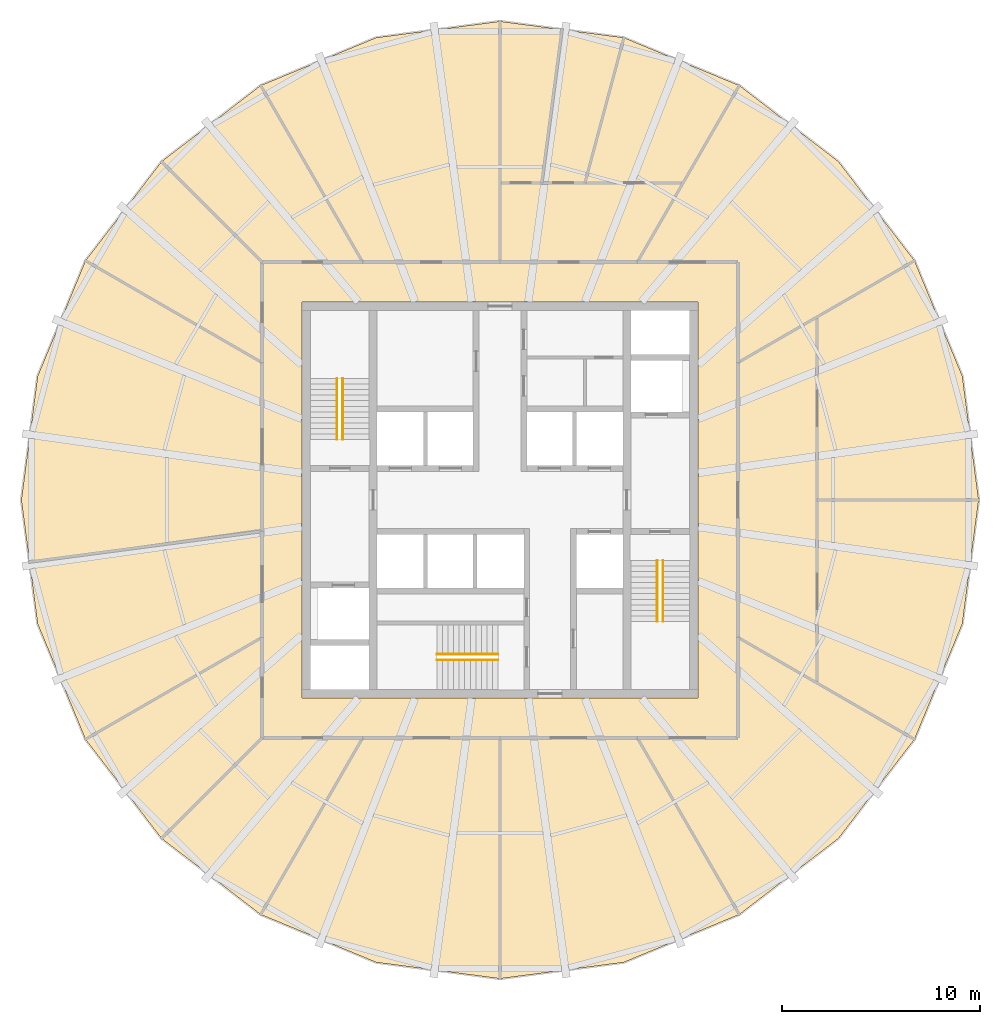
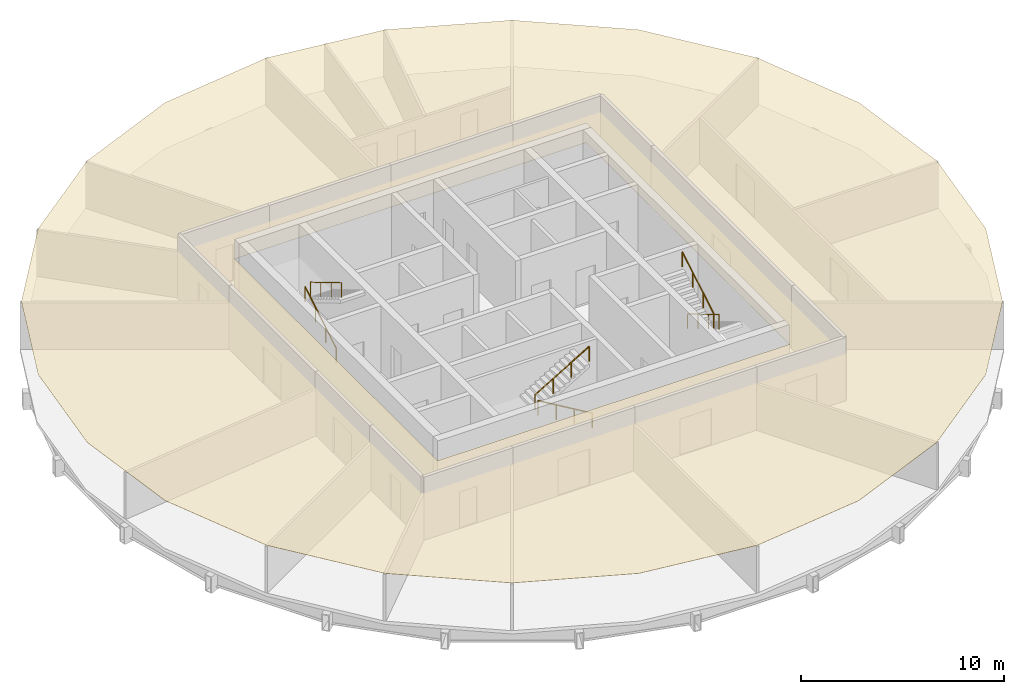
# One storey, part 6 of 6: 6 railings, 1 covering.
"""IFC4 building model written with IfcOpenShell, lengths in metres."""

from ifc_helpers import new_model, si_unit, direction, frame, origin, origin_2d, place, context, subcontext, project, spatial, polyline, circle, outline, extrude, material, layer, layer_set, type_object, element, save


model = new_model("IFC4")

# Units and contexts
model_context = context("Model", 3, precision=1e-05, world=origin(), true_north=direction((0.0, 1.0)))
body_context = subcontext(model_context, "Body", "Model", "MODEL_VIEW")
ifc_project = project(units=[si_unit("LENGTHUNIT", "METRE"), si_unit("AREAUNIT", "SQUARE_METRE"), si_unit("VOLUMEUNIT", "CUBIC_METRE"), si_unit("PLANEANGLEUNIT", "RADIAN"), si_unit("MASSUNIT", "GRAM", prefix="KILO")], contexts=[model_context])

# Site, building, storey
site_placement = place(None, origin())
site = spatial("IfcSite", under=ifc_project, at=site_placement, CompositionType="ELEMENT")
building_placement = place(site_placement, origin())
building = spatial("IfcBuilding", under=site, at=building_placement, Name="Golbaran Civic Tower", CompositionType="ELEMENT")
storey_placement = place(building_placement, frame((0.0, 0.0, 159.0)))
storey = spatial("IfcBuildingStorey", under=building, at=storey_placement, Name="L38", CompositionType="ELEMENT", Elevation=159.0)

# Railings
ifc_material_1 = material(Name="Stainless steel", Category="steel")
railing_type = type_object("IfcRailingType", Name="STAIR HANDRAIL 900", PredefinedType="HANDRAIL", material=ifc_material_1)
railing_1_placement = place(storey_placement, frame((-8.22509765625, 3.050048828125, 0.166748046875)))
element("IfcRailing", 1, at=railing_1_placement, inside=storey, type_object=railing_type, Name="Stair S1 handrail flight 1 L38", PredefinedType="HANDRAIL", context=body_context, shape_type="SweptSolid", body=[
    extrude(circle(Radius=0.02392578125, at=origin_2d()), frame((0.0, 0.0, 0.8759765625), z_axis=(0.0, 0.859290745958, 0.51148745235), x_axis=(-1.0, 0.0, 0.0)), (0.0, 0.0, 1.0), 3.584228515625),
    extrude(circle(Radius=0.02099609375, at=origin_2d()), origin(), (0.0, 0.0, 1.0), 0.851806640625),
    extrude(circle(Radius=0.02099609375, at=origin_2d()), frame((0.0, 1.026611328125, 0.611083984375)), (0.0, 0.0, 1.0), 0.851806640625),
    extrude(circle(Radius=0.02099609375, at=origin_2d()), frame((0.0, 2.05322265625, 1.22216796875)), (0.0, 0.0, 1.0), 0.851806640625),
    extrude(circle(Radius=0.02099609375, at=origin_2d()), frame((0.0, 3.079833984375, 1.833251953125)), (0.0, 0.0, 1.0), 0.851806640625),
])
for number, where, name in (
    (2, (-7.925048828125, 6.1298828125, 2.166748046875), "Stair S1 handrail flight 2 L38"),
    (3, (8.22509765625, -3.050048828125, 0.166748046875), "Stair S2 handrail flight 1 L38"),
):
    element("IfcRailing", number, at=place(storey_placement, frame(where)), inside=storey, type_object=railing_type, Name=name, PredefinedType="HANDRAIL", context=body_context, shape_type="SweptSolid", body=[
        extrude(circle(Radius=0.02392578125, at=origin_2d()), frame((0.0, 0.0, 0.8759765625), z_axis=(0.0, -0.859290745958, 0.51148745235), x_axis=(1.0, 0.0, 0.0)), (0.0, 0.0, 1.0), 3.584228515625),
        extrude(circle(Radius=0.02099609375, at=origin_2d()), origin(), (0.0, 0.0, 1.0), 0.851806640625),
        extrude(circle(Radius=0.02099609375, at=origin_2d()), frame((0.0, -1.026611328125, 0.611083984375)), (0.0, 0.0, 1.0), 0.851806640625),
        extrude(circle(Radius=0.02099609375, at=origin_2d()), frame((0.0, -2.05322265625, 1.22216796875)), (0.0, 0.0, 1.0), 0.851806640625),
        extrude(circle(Radius=0.02099609375, at=origin_2d()), frame((0.0, -3.079833984375, 1.833251953125)), (0.0, 0.0, 1.0), 0.851806640625),
    ])
railing_2_placement = place(storey_placement, frame((7.925048828125, -6.1298828125, 2.166748046875)))
element("IfcRailing", 4, at=railing_2_placement, inside=storey, type_object=railing_type, Name="Stair S2 handrail flight 2 L38", PredefinedType="HANDRAIL", context=body_context, shape_type="SweptSolid", body=[
    extrude(circle(Radius=0.02392578125, at=origin_2d()), frame((0.0, 0.0, 0.8759765625), z_axis=(0.0, 0.859290745958, 0.51148745235), x_axis=(-1.0, 0.0, 0.0)), (0.0, 0.0, 1.0), 3.584228515625),
    extrude(circle(Radius=0.02099609375, at=origin_2d()), origin(), (0.0, 0.0, 1.0), 0.851806640625),
    extrude(circle(Radius=0.02099609375, at=origin_2d()), frame((0.0, 1.026611328125, 0.611083984375)), (0.0, 0.0, 1.0), 0.851806640625),
    extrude(circle(Radius=0.02099609375, at=origin_2d()), frame((0.0, 2.05322265625, 1.22216796875)), (0.0, 0.0, 1.0), 0.851806640625),
    extrude(circle(Radius=0.02099609375, at=origin_2d()), frame((0.0, 3.079833984375, 1.833251953125)), (0.0, 0.0, 1.0), 0.851806640625),
])
railing_3_placement = place(storey_placement, frame((-0.10009765625, -8.074951171875, 0.166748046875)))
element("IfcRailing", 5, at=railing_3_placement, inside=storey, type_object=railing_type, Name="Stair S3 handrail flight 1 L38", PredefinedType="HANDRAIL", context=body_context, shape_type="SweptSolid", body=[
    extrude(circle(Radius=0.02392578125, at=origin_2d()), frame((0.0, 0.0, 0.8759765625), z_axis=(-0.859290745958, 0.0, 0.51148745235), x_axis=(0.0, -1.0, 0.0)), (0.0, 0.0, 1.0), 3.584228515625),
    extrude(circle(Radius=0.02099609375, at=origin_2d()), origin(), (0.0, 0.0, 1.0), 0.851806640625),
    extrude(circle(Radius=0.02099609375, at=origin_2d()), frame((-1.026611328125, 0.0, 0.611083984375)), (0.0, 0.0, 1.0), 0.851806640625),
    extrude(circle(Radius=0.02099609375, at=origin_2d()), frame((-2.05322265625, 0.0, 1.22216796875)), (0.0, 0.0, 1.0), 0.851806640625),
    extrude(circle(Radius=0.02099609375, at=origin_2d()), frame((-3.079833984375, 0.0, 1.833251953125)), (0.0, 0.0, 1.0), 0.851806640625),
])
railing_4_placement = place(storey_placement, frame((-3.179931640625, -7.77490234375, 2.166748046875)))
element("IfcRailing", 6, at=railing_4_placement, inside=storey, type_object=railing_type, Name="Stair S3 handrail flight 2 L38", PredefinedType="HANDRAIL", context=body_context, shape_type="SweptSolid", body=[
    extrude(circle(Radius=0.02392578125, at=origin_2d()), frame((0.0, 0.0, 0.8759765625), z_axis=(0.859290745958, 0.0, 0.51148745235), x_axis=(0.0, 1.0, 0.0)), (0.0, 0.0, 1.0), 3.584228515625),
    extrude(circle(Radius=0.02099609375, at=origin_2d()), origin(), (0.0, 0.0, 1.0), 0.851806640625),
    extrude(circle(Radius=0.02099609375, at=origin_2d()), frame((1.026611328125, 0.0, 0.611083984375)), (0.0, 0.0, 1.0), 0.851806640625),
    extrude(circle(Radius=0.02099609375, at=origin_2d()), frame((2.05322265625, 0.0, 1.22216796875)), (0.0, 0.0, 1.0), 0.851806640625),
    extrude(circle(Radius=0.02099609375, at=origin_2d()), frame((3.079833984375, 0.0, 1.833251953125)), (0.0, 0.0, 1.0), 0.851806640625),
])

# Covering
ifc_material_2 = material(Name="Mineral fibre tile on steel grid", Category="steel")
ifc_layer = layer(ifc_material_2, 0.02001953125, Name="Mineral fibre tile on steel grid")
ifc_layer_set = layer_set([ifc_layer], Name="Mineral fibre tile on steel grid")
covering_type = type_object("IfcCoveringType", Name="SUSPENDED CEILING 600 TILE 20", PredefinedType="CEILING", material=ifc_layer_set)
covering_placement = place(storey_placement, frame((0.0, 0.0, 2.800048828125)))
element("IfcCovering", 7, at=covering_placement, inside=storey, type_object=covering_type, Name="Suspended ceiling L38", PredefinedType="CEILING", context=body_context, shape_type="SweptSolid", body=[
    extrude(outline(polyline([(-24.152099609375, 0.0), (-23.3291015625, 6.2509765625), (-20.916259765625, 12.075927734375), (-17.078125, 17.078125), (-12.075927734375, 20.916259765625), (-6.2509765625, 23.3291015625), (0.0, 24.152099609375), (3.274169921875, 23.720947265625), (6.2509765625, 23.3291015625), (12.075927734375, 20.916259765625), (17.078125, 17.078125), (20.916259765625, 12.075927734375), (23.3291015625, 6.2509765625), (24.152099609375, 0.0), (23.3291015625, -6.2509765625), (20.916259765625, -12.075927734375), (17.078125, -17.078125), (12.075927734375, -20.916259765625), (6.2509765625, -23.3291015625), (0.0, -24.152099609375), (-6.2509765625, -23.3291015625), (-12.075927734375, -20.916259765625), (-17.078125, -17.078125), (-20.916259765625, -12.075927734375), (-23.3291015625, -6.2509765625), (-24.152099609375, 0.0)]), holes=[polyline([(10.0, 10.0), (-10.0, 10.0), (-10.0, -10.0), (10.0, -10.0), (10.0, 10.0)])]), origin(), (0.0, 0.0, 1.0), 0.02001953125),
])

save(model, "model.ifc")
